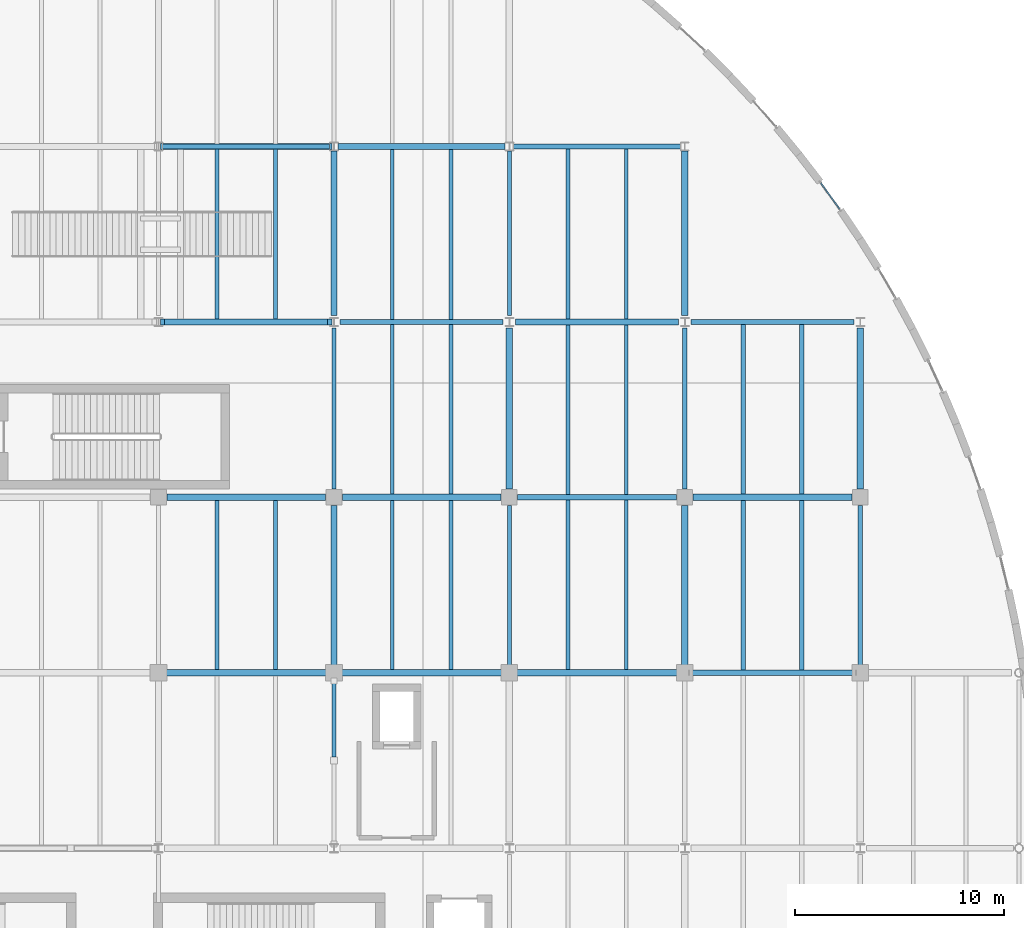
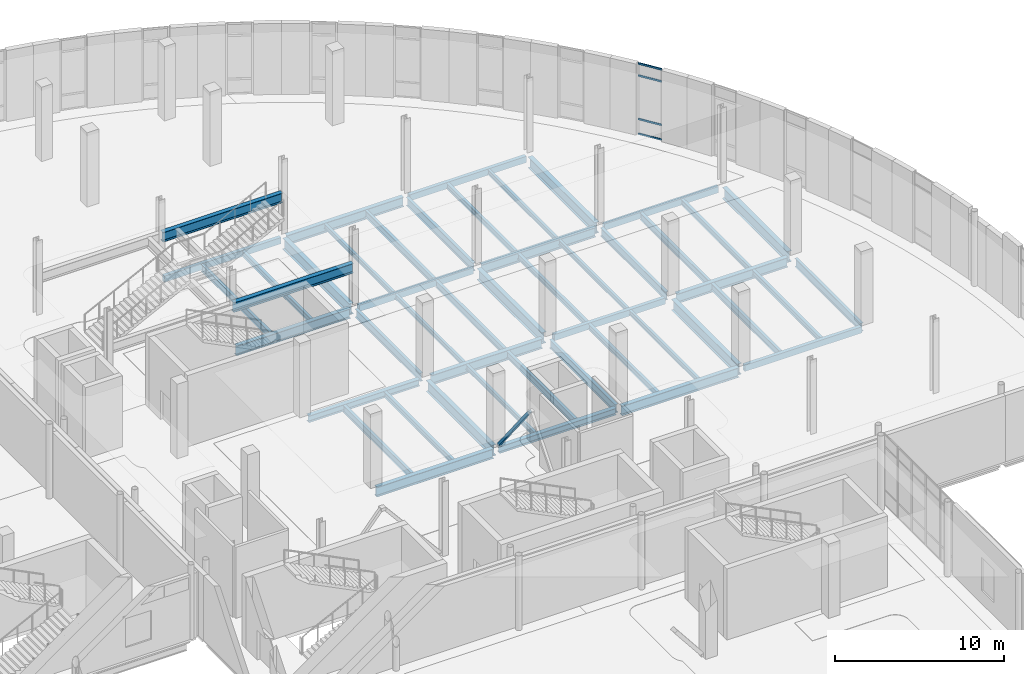
# One storey, part 47 of 110: 48 beams, 5 members, 1 element without a shape of its own.
"""IFC4 building model written with IfcOpenShell, lengths in metres."""

from ifc_helpers import new_model, si_unit, direction, frame, origin, origin_2d, place, context, subcontext, project, spatial, hollow_rectangle, i_section, extrude, material, layer, layer_set, material_profile, profile_set, type_object, element, aggregate, save


model = new_model("IFC4")

# Units and contexts
model_context = context("Model", 3, precision=1e-05, world=origin(), true_north=direction((0.0, 1.0)))
body_context = subcontext(model_context, "Body", "Model", "MODEL_VIEW")
ifc_project = project(units=[si_unit("LENGTHUNIT", "METRE"), si_unit("AREAUNIT", "SQUARE_METRE"), si_unit("VOLUMEUNIT", "CUBIC_METRE"), si_unit("PLANEANGLEUNIT", "RADIAN"), si_unit("MASSUNIT", "GRAM", prefix="KILO"), si_unit("THERMODYNAMICTEMPERATUREUNIT", "KELVIN")], contexts=[model_context])

# Site, building, storey
site_placement = place(None, origin())
site = spatial("IfcSite", under=ifc_project, at=site_placement, CompositionType="ELEMENT")
building_placement = place(site_placement, origin())
building = spatial("IfcBuilding", under=site, at=building_placement, Name="Lustrewick Department Store", CompositionType="ELEMENT")
storey_placement = place(building_placement, frame((0.0, 0.0, 6.0)))
storey = spatial("IfcBuildingStorey", under=building, at=storey_placement, Name="L02", CompositionType="ELEMENT", Elevation=6.0)

# Beams
ifc_material_1 = material(Name="Structural steel Q355B", Category="steel")
ifc_material_profile_1 = material_profile(ifc_material_1, i_section(OverallWidth=0.199951171875, OverallDepth=0.5, WebThickness=0.010009765625, FlangeThickness=0.01611328125, FilletRadius=0.01611328125, at=origin_2d()), Name="HN 500x200x10x16")
ifc_profile_set_1 = profile_set([ifc_material_profile_1], Name="Structural steel Q355B")
beam_type_1 = type_object("IfcBeamType", Name="B01", PredefinedType="JOIST", material=ifc_profile_set_1)
beam_1_placement = place(storey_placement, frame((140.0, 67.35009765625, -0.5048828125), z_axis=(0.0, 1.0, 0.0), x_axis=(-1.0, 0.0, 0.0)))
element("IfcBeam", 1, at=beam_1_placement, inside=storey, type_object=beam_type_1, Name="L02 V4 Secondary Joist B01", PredefinedType="JOIST", context=body_context, shape_type="SweptSolid", body=[
    extrude(i_section(OverallWidth=0.199951171875, OverallDepth=0.5, WebThickness=0.010009765625, FlangeThickness=0.01611328125, FilletRadius=0.01611328125, at=origin_2d()), origin(), (0.0, 0.0, 1.0), 8.099853515625),
])
for number, where, z_axis, x_axis, name in (
    (2, (154.0, 67.324951171875, -0.5048828125), (0.0, 1.0, 0.0), (-1.0, 0.0, 0.0), "L02 V4 Secondary Joist B01"),
    (3, (140.0, 75.75, -0.5048828125), (0.0, 1.0, 0.0), (-1.0, 0.0, 0.0), "L02 V4 Secondary Joist B01"),
    (4, (154.0, 75.75, -0.5048828125), (0.0, 1.0, 0.0), (-1.0, 0.0, 0.0), "L02 V4 Secondary Joist B01"),
    (5, (140.0, 84.125, -0.5048828125), (0.0, 1.0, 0.0), (-1.0, 0.0, 0.0), "L02 V4 Secondary Joist B01"),
):
    element("IfcBeam", number, at=place(storey_placement, frame(where, z_axis=z_axis, x_axis=x_axis)), inside=storey, type_object=beam_type_1, Name=name, PredefinedType="JOIST", context=body_context, shape_type="SweptSolid", body=[
        extrude(i_section(OverallWidth=0.199951171875, OverallDepth=0.5, WebThickness=0.010009765625, FlangeThickness=0.01611328125, FilletRadius=0.01611328125, at=origin_2d()), origin(), (0.0, 0.0, 1.0), 8.125),
    ])
ifc_material_profile_2 = material_profile(ifc_material_1, i_section(OverallWidth=0.198974609375, OverallDepth=0.49609375, WebThickness=0.009033203125, FlangeThickness=0.013916015625, FilletRadius=0.01611328125, at=origin_2d()), Name="HN 496x199x9x14")
ifc_profile_set_2 = profile_set([ifc_material_profile_2], Name="Structural steel Q355B")
beam_type_2 = type_object("IfcBeamType", Name="B02", PredefinedType="JOIST", material=ifc_profile_set_2)
beam_2_placement = place(storey_placement, frame((128.800048828125, 67.35009765625, -0.5029296875), z_axis=(0.0, 1.0, 0.0), x_axis=(-1.0, 0.0, 0.0)))
element("IfcBeam", 6, at=beam_2_placement, inside=storey, type_object=beam_type_2, Name="L02 V4 Secondary Joist B02", PredefinedType="JOIST", context=body_context, shape_type="SweptSolid", body=[
    extrude(i_section(OverallWidth=0.198974609375, OverallDepth=0.49609375, WebThickness=0.009033203125, FlangeThickness=0.013916015625, FilletRadius=0.01611328125, at=origin_2d()), origin(), (0.0, 0.0, 1.0), 8.099853515625),
])
beam_3_placement = place(storey_placement, frame((128.800048828125, 84.14990234375, -0.5029296875), z_axis=(0.0, 1.0, 0.0), x_axis=(-1.0, 0.0, 0.0)))
element("IfcBeam", 7, at=beam_3_placement, inside=storey, type_object=beam_type_2, Name="L02 V4 Secondary Joist B02", PredefinedType="JOIST", context=body_context, shape_type="SweptSolid", body=[
    extrude(i_section(OverallWidth=0.198974609375, OverallDepth=0.49609375, WebThickness=0.009033203125, FlangeThickness=0.013916015625, FilletRadius=0.01611328125, at=origin_2d()), origin(), (0.0, 0.0, 1.0), 8.125),
])
ifc_material_profile_3 = material_profile(ifc_material_1, i_section(OverallWidth=0.199951171875, OverallDepth=0.39990234375, WebThickness=0.008056640625, FlangeThickness=0.012939453125, FilletRadius=0.013916015625, at=origin_2d()), Name="HN 400x200x8x13")
ifc_profile_set_3 = profile_set([ifc_material_profile_3], Name="Structural steel Q355B")
beam_type_3 = type_object("IfcBeamType", Name="B05", PredefinedType="JOIST", material=ifc_profile_set_3)
for number, where, z_axis, x_axis, name in (
    (8, (156.800048828125, 67.324951171875, -0.455078125), (0.0, 1.0, 0.0), (-1.0, 0.0, 0.0), "L02 V4 Secondary Joist B05"),
    (9, (156.800048828125, 75.75, -0.455078125), (0.0, 1.0, 0.0), (-1.0, 0.0, 0.0), "L02 V4 Secondary Joist B05"),
):
    element("IfcBeam", number, at=place(storey_placement, frame(where, z_axis=z_axis, x_axis=x_axis)), inside=storey, type_object=beam_type_3, Name=name, PredefinedType="JOIST", context=body_context, shape_type="SweptSolid", body=[
        extrude(i_section(OverallWidth=0.199951171875, OverallDepth=0.39990234375, WebThickness=0.008056640625, FlangeThickness=0.012939453125, FilletRadius=0.013916015625, at=origin_2d()), origin(), (0.0, 0.0, 1.0), 8.125),
    ])
ifc_material_profile_4 = material_profile(ifc_material_1, i_section(OverallWidth=0.198974609375, OverallDepth=0.39599609375, WebThickness=0.007080078125, FlangeThickness=0.010986328125, FilletRadius=0.013916015625, at=origin_2d()), Name="HN 396x199x7x11")
ifc_profile_set_4 = profile_set([ifc_material_profile_4], Name="Structural steel Q355B")
beam_type_4 = type_object("IfcBeamType", Name="B06", PredefinedType="JOIST", material=ifc_profile_set_4)
beam_4_placement = place(storey_placement, frame((131.60009765625, 67.35009765625, -0.452880859375), z_axis=(0.0, 1.0, 0.0), x_axis=(-1.0, 0.0, 0.0)))
element("IfcBeam", 10, at=beam_4_placement, inside=storey, type_object=beam_type_4, Name="L02 V4 Secondary Joist B06", PredefinedType="JOIST", context=body_context, shape_type="SweptSolid", body=[
    extrude(i_section(OverallWidth=0.198974609375, OverallDepth=0.39599609375, WebThickness=0.007080078125, FlangeThickness=0.010986328125, FilletRadius=0.013916015625, at=origin_2d()), origin(), (0.0, 0.0, 1.0), 8.099853515625),
])
for number, where, z_axis, x_axis, name in (
    (11, (145.60009765625, 67.35009765625, -0.452880859375), (0.0, 1.0, 0.0), (-1.0, 0.0, 0.0), "L02 V4 Secondary Joist B06"),
    (12, (145.60009765625, 75.72509765625, -0.452880859375), (0.0, 1.0, 0.0), (-1.0, 0.0, 0.0), "L02 V4 Secondary Joist B06"),
    (13, (131.60009765625, 84.14990234375, -0.452880859375), (0.0, 1.0, 0.0), (-1.0, 0.0, 0.0), "L02 V4 Secondary Joist B06"),
    (14, (145.60009765625, 84.14990234375, -0.452880859375), (0.0, 1.0, 0.0), (-1.0, 0.0, 0.0), "L02 V4 Secondary Joist B06"),
):
    element("IfcBeam", number, at=place(storey_placement, frame(where, z_axis=z_axis, x_axis=x_axis)), inside=storey, type_object=beam_type_4, Name=name, PredefinedType="JOIST", context=body_context, shape_type="SweptSolid", body=[
        extrude(i_section(OverallWidth=0.198974609375, OverallDepth=0.39599609375, WebThickness=0.007080078125, FlangeThickness=0.010986328125, FilletRadius=0.013916015625, at=origin_2d()), origin(), (0.0, 0.0, 1.0), 8.125),
    ])
ifc_material_profile_5 = material_profile(ifc_material_1, i_section(OverallWidth=0.175048828125, OverallDepth=0.35009765625, WebThickness=0.007080078125, FlangeThickness=0.010986328125, FilletRadius=0.012939453125, at=origin_2d()), Name="HN 350x175x7x11")
ifc_profile_set_5 = profile_set([ifc_material_profile_5], Name="Structural steel Q355B")
beam_type_5 = type_object("IfcBeamType", Name="B09", PredefinedType="JOIST", material=ifc_profile_set_5)
for number, where, z_axis, x_axis, name in (
    (15, (148.39990234375, 67.35009765625, -0.429931640625), (0.0, 1.0, 0.0), (-1.0, 0.0, 0.0), "L02 V4 Secondary Joist B09"),
    (16, (148.39990234375, 75.72509765625, -0.429931640625), (0.0, 1.0, 0.0), (-1.0, 0.0, 0.0), "L02 V4 Secondary Joist B09"),
    (17, (148.39990234375, 84.14990234375, -0.429931640625), (0.0, 1.0, 0.0), (-1.0, 0.0, 0.0), "L02 V4 Secondary Joist B09"),
):
    element("IfcBeam", number, at=place(storey_placement, frame(where, z_axis=z_axis, x_axis=x_axis)), inside=storey, type_object=beam_type_5, Name=name, PredefinedType="JOIST", context=body_context, shape_type="SweptSolid", body=[
        extrude(i_section(OverallWidth=0.175048828125, OverallDepth=0.35009765625, WebThickness=0.007080078125, FlangeThickness=0.010986328125, FilletRadius=0.012939453125, at=origin_2d()), origin(), (0.0, 0.0, 1.0), 8.125),
    ])
ifc_material_profile_6 = material_profile(ifc_material_1, i_section(OverallWidth=0.174072265625, OverallDepth=0.345947265625, WebThickness=0.006103515625, FlangeThickness=0.009033203125, FilletRadius=0.012939453125, at=origin_2d()), Name="HN 346x174x6x9")
ifc_profile_set_6 = profile_set([ifc_material_profile_6], Name="Structural steel Q355B")
beam_type_6 = type_object("IfcBeamType", Name="B10", PredefinedType="JOIST", material=ifc_profile_set_6)
beam_5_placement = place(storey_placement, frame((137.199951171875, 67.35009765625, -0.427978515625), z_axis=(0.0, 1.0, 0.0), x_axis=(-1.0, 0.0, 0.0)))
element("IfcBeam", 18, at=beam_5_placement, inside=storey, type_object=beam_type_6, Name="L02 V4 Secondary Joist B10", PredefinedType="JOIST", context=body_context, shape_type="SweptSolid", body=[
    extrude(i_section(OverallWidth=0.174072265625, OverallDepth=0.345947265625, WebThickness=0.006103515625, FlangeThickness=0.009033203125, FilletRadius=0.012939453125, at=origin_2d()), origin(), (0.0, 0.0, 1.0), 8.099853515625),
])
for number, where, z_axis, x_axis, name in (
    (19, (137.199951171875, 75.75, -0.427978515625), (0.0, 1.0, 0.0), (-1.0, 0.0, 0.0), "L02 V4 Secondary Joist B10"),
    (20, (137.199951171875, 84.125, -0.427978515625), (0.0, 1.0, 0.0), (-1.0, 0.0, 0.0), "L02 V4 Secondary Joist B10"),
):
    element("IfcBeam", number, at=place(storey_placement, frame(where, z_axis=z_axis, x_axis=x_axis)), inside=storey, type_object=beam_type_6, Name=name, PredefinedType="JOIST", context=body_context, shape_type="SweptSolid", body=[
        extrude(i_section(OverallWidth=0.174072265625, OverallDepth=0.345947265625, WebThickness=0.006103515625, FlangeThickness=0.009033203125, FilletRadius=0.012939453125, at=origin_2d()), origin(), (0.0, 0.0, 1.0), 8.125),
    ])

# Member
ifc_material_profile_7 = material_profile(ifc_material_1, hollow_rectangle(XDim=0.179931640625, YDim=0.179931640625, WallThickness=0.008056640625, at=origin_2d()), Name="SHS 180x180x8")
ifc_profile_set_7 = profile_set([ifc_material_profile_7], Name="Structural steel Q355B")
member_type_1 = type_object("IfcMemberType", Name="BR10", PredefinedType="BRACE", material=ifc_profile_set_7)
member_1_placement = place(storey_placement, frame((134.39990234375, 66.800048828125, 0.14990234375), z_axis=(0.0, -0.623044181837, 0.782186644912), x_axis=(1.0, 0.0, 0.0)))
element("IfcMember", 21, at=member_1_placement, inside=storey, type_object=member_type_1, Name="L02 V4 Chevron Brace BR10", PredefinedType="BRACE", context=body_context, shape_type="SweptSolid", body=[
    extrude(hollow_rectangle(XDim=0.179931640625, YDim=0.179931640625, WallThickness=0.008056640625, at=origin_2d()), origin(), (0.0, 0.0, 1.0), 5.9384765625),
])

# Curtain wall, members
ifc_material_2 = material(Name="Thermally broken aluminium 6063-T5", Category="aluminium")
ifc_layer = layer(ifc_material_2, 0.169921875, Name="Thermally broken aluminium 6063-T5")
ifc_layer_set = layer_set([ifc_layer], Name="Thermally broken aluminium 6063-T5")
curtain_wall_type = type_object("IfcCurtainWallType", Name="CW12", PredefinedType="NOTDEFINED", material=ifc_layer_set)
curtain_wall_placement = place(storey_placement, origin())
curtain_wall = element("IfcCurtainWall", 22, at=curtain_wall_placement, inside=storey, type_object=curtain_wall_type, Name="L02 V4 Curtain Wall CW12", PredefinedType="NOTDEFINED")
ifc_material_profile_8 = material_profile(ifc_material_2, hollow_rectangle(XDim=0.06494140625, YDim=0.1298828125, WallThickness=0.00341796875, at=origin_2d()), Name="ALU-T 65x130x3.5")
ifc_profile_set_8 = profile_set([ifc_material_profile_8], Name="Thermally broken aluminium 6063-T5")
member_type_2 = type_object("IfcMemberType", Name="CW12-T1", PredefinedType="USERDEFINED", material=ifc_profile_set_8)
member_2_placement = place(storey_placement, frame((158.61083984375, 89.40283203125, 0.032470703125), z_axis=(-0.58525851613, 0.810846760675, 0.0), x_axis=(-0.810846760675, -0.58525851613, 0.0)))
member_2 = element("IfcMember", 23, at=member_2_placement, type_object=member_type_2, Name="CW12 transom 1.1", ObjectType="TRANSOM", PredefinedType="USERDEFINED", context=body_context, shape_type="SweptSolid", body=[
    extrude(hollow_rectangle(XDim=0.06494140625, YDim=0.1298828125, WallThickness=0.00341796875, at=origin_2d()), origin(), (0.0, 0.0, 1.0), 1.536865234375),
])
member_3_placement = place(storey_placement, frame((158.61083984375, 89.40283203125, 1.10009765625), z_axis=(-0.58525851613, 0.810846760675, 0.0), x_axis=(-0.810846760675, -0.58525851613, 0.0)))
member_3 = element("IfcMember", 24, at=member_3_placement, type_object=member_type_2, Name="CW12 transom 1.2", ObjectType="TRANSOM", PredefinedType="USERDEFINED", context=body_context, shape_type="SweptSolid", body=[
    extrude(hollow_rectangle(XDim=0.06494140625, YDim=0.1298828125, WallThickness=0.00341796875, at=origin_2d()), origin(), (0.0, 0.0, 1.0), 1.536865234375),
])
member_4_placement = place(storey_placement, frame((158.61083984375, 89.40283203125, 4.2451171875), z_axis=(-0.58525851613, 0.810846760675, 0.0), x_axis=(-0.810846760675, -0.58525851613, 0.0)))
member_4 = element("IfcMember", 25, at=member_4_placement, type_object=member_type_2, Name="CW12 transom 1.3", ObjectType="TRANSOM", PredefinedType="USERDEFINED", context=body_context, shape_type="SweptSolid", body=[
    extrude(hollow_rectangle(XDim=0.06494140625, YDim=0.1298828125, WallThickness=0.00341796875, at=origin_2d()), origin(), (0.0, 0.0, 1.0), 1.536865234375),
])
member_5_placement = place(storey_placement, frame((158.61083984375, 89.40283203125, 5.112548828125), z_axis=(-0.58525851613, 0.810846760675, 0.0), x_axis=(-0.810846760675, -0.58525851613, 0.0)))
member_5 = element("IfcMember", 26, at=member_5_placement, type_object=member_type_2, Name="CW12 transom 1.4", ObjectType="TRANSOM", PredefinedType="USERDEFINED", context=body_context, shape_type="SweptSolid", body=[
    extrude(hollow_rectangle(XDim=0.06494140625, YDim=0.1298828125, WallThickness=0.00341796875, at=origin_2d()), origin(), (0.0, 0.0, 1.0), 1.536865234375),
])
aggregate(curtain_wall, [member_2, member_3, member_4, member_5])

# Beams
ifc_material_3 = material(Name="Structural steel Q355C", Category="steel")
ifc_material_profile_9 = material_profile(ifc_material_3, i_section(OverallWidth=0.302001953125, OverallDepth=0.80810546875, WebThickness=0.01611328125, FlangeThickness=0.030029296875, FilletRadius=0.02197265625, at=origin_2d()), Name="HN 808x302x16x30")
ifc_profile_set_9 = profile_set([ifc_material_profile_9], Name="Structural steel Q355C")
beam_type_7 = type_object("IfcBeamType", Name="G04", PredefinedType="BEAM", material=ifc_profile_set_9)
beam_6_placement = place(storey_placement, frame((134.39990234375, 84.300048828125, -0.658935546875), z_axis=(0.0, 1.0, 0.0), x_axis=(-1.0, 0.0, 0.0)))
element("IfcBeam", 27, at=beam_6_placement, inside=storey, type_object=beam_type_7, Name="L02 V4 Girder G04", PredefinedType="BEAM", context=body_context, shape_type="SweptSolid", body=[
    extrude(i_section(OverallWidth=0.302001953125, OverallDepth=0.80810546875, WebThickness=0.01611328125, FlangeThickness=0.030029296875, FilletRadius=0.02197265625, at=origin_2d()), origin(), (0.0, 0.0, 1.0), 7.89306640625),
])
beam_7_placement = place(storey_placement, frame((142.800048828125, 76.0, -0.658935546875), z_axis=(0.0, 1.0, 0.0), x_axis=(-1.0, 0.0, 0.0)))
element("IfcBeam", 28, at=beam_7_placement, inside=storey, type_object=beam_type_7, Name="L02 V4 Girder G04", PredefinedType="BEAM", context=body_context, shape_type="SweptSolid", body=[
    extrude(i_section(OverallWidth=0.302001953125, OverallDepth=0.80810546875, WebThickness=0.01611328125, FlangeThickness=0.030029296875, FilletRadius=0.02197265625, at=origin_2d()), origin(), (0.0, 0.0, 1.0), 7.699951171875),
])
beam_8_placement = place(storey_placement, frame((151.199951171875, 67.39990234375, -0.658935546875), z_axis=(0.0, 1.0, 0.0), x_axis=(-1.0, 0.0, 0.0)))
element("IfcBeam", 29, at=beam_8_placement, inside=storey, type_object=beam_type_7, Name="L02 V4 Girder G04", PredefinedType="BEAM", context=body_context, shape_type="SweptSolid", body=[
    extrude(i_section(OverallWidth=0.302001953125, OverallDepth=0.80810546875, WebThickness=0.01611328125, FlangeThickness=0.030029296875, FilletRadius=0.02197265625, at=origin_2d()), origin(), (0.0, 0.0, 1.0), 7.800048828125),
])
beam_9_placement = place(storey_placement, frame((151.199951171875, 84.300048828125, -0.658935546875), z_axis=(0.0, 1.0, 0.0), x_axis=(-1.0, 0.0, 0.0)))
element("IfcBeam", 30, at=beam_9_placement, inside=storey, type_object=beam_type_7, Name="L02 V4 Girder G04", PredefinedType="BEAM", context=body_context, shape_type="SweptSolid", body=[
    extrude(i_section(OverallWidth=0.302001953125, OverallDepth=0.80810546875, WebThickness=0.01611328125, FlangeThickness=0.030029296875, FilletRadius=0.02197265625, at=origin_2d()), origin(), (0.0, 0.0, 1.0), 7.89306640625),
])
beam_10_placement = place(storey_placement, frame((159.60009765625, 76.0, -0.658935546875), z_axis=(0.0, 1.0, 0.0), x_axis=(-1.0, 0.0, 0.0)))
element("IfcBeam", 31, at=beam_10_placement, inside=storey, type_object=beam_type_7, Name="L02 V4 Girder G04", PredefinedType="BEAM", context=body_context, shape_type="SweptSolid", body=[
    extrude(i_section(OverallWidth=0.302001953125, OverallDepth=0.80810546875, WebThickness=0.01611328125, FlangeThickness=0.030029296875, FilletRadius=0.02197265625, at=origin_2d()), origin(), (0.0, 0.0, 1.0), 7.699951171875),
])
ifc_material_profile_10 = material_profile(ifc_material_1, i_section(OverallWidth=0.300048828125, OverallDepth=0.800048828125, WebThickness=0.013916015625, FlangeThickness=0.02587890625, FilletRadius=0.02197265625, at=origin_2d()), Name="HN 800x300x14x26")
ifc_profile_set_10 = profile_set([ifc_material_profile_10], Name="Structural steel Q355B")
beam_type_8 = type_object("IfcBeamType", Name="G05", PredefinedType="BEAM", material=ifc_profile_set_10)
beam_11_placement = place(storey_placement, frame((134.39990234375, 67.39990234375, -0.655029296875), z_axis=(0.0, 1.0, 0.0), x_axis=(-1.0, 0.0, 0.0)))
element("IfcBeam", 32, at=beam_11_placement, inside=storey, type_object=beam_type_8, Name="L02 V4 Girder G05", PredefinedType="BEAM", context=body_context, shape_type="SweptSolid", body=[
    extrude(i_section(OverallWidth=0.300048828125, OverallDepth=0.800048828125, WebThickness=0.013916015625, FlangeThickness=0.02587890625, FilletRadius=0.02197265625, at=origin_2d()), origin(), (0.0, 0.0, 1.0), 7.800048828125),
])
ifc_material_profile_11 = material_profile(ifc_material_1, i_section(OverallWidth=0.300048828125, OverallDepth=0.699951171875, WebThickness=0.012939453125, FlangeThickness=0.02392578125, FilletRadius=0.02001953125, at=origin_2d()), Name="HN 700x300x13x24")
ifc_profile_set_11 = profile_set([ifc_material_profile_11], Name="Structural steel Q355B")
beam_type_9 = type_object("IfcBeamType", Name="G08", PredefinedType="BEAM", material=ifc_profile_set_11)
for number, where, z_axis, x_axis, name in (
    (33, (126.199951171875, 67.199951171875, -0.60498046875), (1.0, 0.0, 0.0), (0.0, 1.0, 0.0), "L02 V4 Girder G08"),
    (34, (143.0, 67.199951171875, -0.60498046875), (1.0, 0.0, 0.0), (0.0, 1.0, 0.0), "L02 V4 Girder G08"),
):
    element("IfcBeam", number, at=place(storey_placement, frame(where, z_axis=z_axis, x_axis=x_axis)), inside=storey, type_object=beam_type_9, Name=name, PredefinedType="BEAM", context=body_context, shape_type="SweptSolid", body=[
        extrude(i_section(OverallWidth=0.300048828125, OverallDepth=0.699951171875, WebThickness=0.012939453125, FlangeThickness=0.02392578125, FilletRadius=0.02001953125, at=origin_2d()), origin(), (0.0, 0.0, 1.0), 8.0),
    ])
for number, where, z_axis, x_axis, name in (
    (35, (134.800048828125, 75.60009765625, -0.60498046875), (1.0, 0.0, 0.0), (0.0, 1.0, 0.0), "L02 V4 Girder G08"),
    (36, (151.60009765625, 75.60009765625, -0.60498046875), (1.0, 0.0, 0.0), (0.0, 1.0, 0.0), "L02 V4 Girder G08"),
):
    element("IfcBeam", number, at=place(storey_placement, frame(where, z_axis=z_axis, x_axis=x_axis)), inside=storey, type_object=beam_type_9, Name=name, PredefinedType="BEAM", context=body_context, shape_type="SweptSolid", body=[
        extrude(i_section(OverallWidth=0.300048828125, OverallDepth=0.699951171875, WebThickness=0.012939453125, FlangeThickness=0.02392578125, FilletRadius=0.02001953125, at=origin_2d()), origin(), (0.0, 0.0, 1.0), 7.599853515625),
    ])
beam_12_placement = place(storey_placement, frame((126.300048828125, 84.0, -0.60498046875), z_axis=(1.0, 0.0, 0.0), x_axis=(0.0, 1.0, 0.0)))
element("IfcBeam", 37, at=beam_12_placement, inside=storey, type_object=beam_type_9, Name="L02 V4 Girder G08", PredefinedType="BEAM", context=body_context, shape_type="SweptSolid", body=[
    extrude(i_section(OverallWidth=0.300048828125, OverallDepth=0.699951171875, WebThickness=0.012939453125, FlangeThickness=0.02392578125, FilletRadius=0.02001953125, at=origin_2d()), origin(), (0.0, 0.0, 1.0), 7.800048828125),
])
beam_13_placement = place(storey_placement, frame((143.10009765625, 84.0, -0.60498046875), z_axis=(1.0, 0.0, 0.0), x_axis=(0.0, 1.0, 0.0)))
element("IfcBeam", 38, at=beam_13_placement, inside=storey, type_object=beam_type_9, Name="L02 V4 Girder G08", PredefinedType="BEAM", context=body_context, shape_type="SweptSolid", body=[
    extrude(i_section(OverallWidth=0.300048828125, OverallDepth=0.699951171875, WebThickness=0.012939453125, FlangeThickness=0.02392578125, FilletRadius=0.02001953125, at=origin_2d()), origin(), (0.0, 0.0, 1.0), 7.7998046875),
])
beam_14_placement = place(storey_placement, frame((134.6025390625, 92.39990234375, -0.60498046875), z_axis=(1.0, 0.0, 0.0), x_axis=(0.0, 1.0, 0.0)))
element("IfcBeam", 39, at=beam_14_placement, inside=storey, type_object=beam_type_9, Name="L02 V4 Girder G08", PredefinedType="BEAM", context=body_context, shape_type="SweptSolid", body=[
    extrude(i_section(OverallWidth=0.300048828125, OverallDepth=0.699951171875, WebThickness=0.012939453125, FlangeThickness=0.02392578125, FilletRadius=0.02001953125, at=origin_2d()), origin(), (0.0, 0.0, 1.0), 7.994873046875),
])
for number, where, z_axis, x_axis, name in (
    (40, (126.10009765625, 84.0, 2.60009765625), (1.0, 0.0, 0.0), (0.0, 1.0, 0.0), "L02 Feature Stair AST02 Stringer Girder EW2.1"),
    (41, (126.10009765625, 92.39990234375, 2.60009765625), (1.0, 0.0, 0.0), (0.0, 1.0, 0.0), "L02 Feature Stair AST02 Stringer Girder EW2.2"),
):
    element("IfcBeam", number, at=place(storey_placement, frame(where, z_axis=z_axis, x_axis=x_axis)), inside=storey, type_object=beam_type_9, Name=name, PredefinedType="BEAM", context=body_context, shape_type="SweptSolid", body=[
        extrude(i_section(OverallWidth=0.300048828125, OverallDepth=0.699951171875, WebThickness=0.012939453125, FlangeThickness=0.02392578125, FilletRadius=0.02001953125, at=origin_2d()), origin(), (0.0, 0.0, 1.0), 8.199951171875),
    ])
ifc_material_profile_12 = material_profile(ifc_material_1, i_section(OverallWidth=0.200927734375, OverallDepth=0.60595703125, WebThickness=0.011962890625, FlangeThickness=0.02001953125, FilletRadius=0.01806640625, at=origin_2d()), Name="HN 606x201x12x20")
ifc_profile_set_12 = profile_set([ifc_material_profile_12], Name="Structural steel Q355B")
beam_type_10 = type_object("IfcBeamType", Name="G13", PredefinedType="BEAM", material=ifc_profile_set_12)
beam_15_placement = place(storey_placement, frame((134.39990234375, 76.0, -0.55810546875), z_axis=(0.0, 1.0, 0.0), x_axis=(-1.0, 0.0, 0.0)))
element("IfcBeam", 42, at=beam_15_placement, inside=storey, type_object=beam_type_10, Name="L02 V4 Girder G13", PredefinedType="BEAM", context=body_context, shape_type="SweptSolid", body=[
    extrude(i_section(OverallWidth=0.200927734375, OverallDepth=0.60595703125, WebThickness=0.011962890625, FlangeThickness=0.02001953125, FilletRadius=0.01806640625, at=origin_2d()), origin(), (0.0, 0.0, 1.0), 7.699951171875),
])
beam_16_placement = place(storey_placement, frame((142.800048828125, 67.39990234375, -0.55810546875), z_axis=(0.0, 1.0, 0.0), x_axis=(-1.0, 0.0, 0.0)))
element("IfcBeam", 43, at=beam_16_placement, inside=storey, type_object=beam_type_10, Name="L02 V4 Girder G13", PredefinedType="BEAM", context=body_context, shape_type="SweptSolid", body=[
    extrude(i_section(OverallWidth=0.200927734375, OverallDepth=0.60595703125, WebThickness=0.011962890625, FlangeThickness=0.02001953125, FilletRadius=0.01806640625, at=origin_2d()), origin(), (0.0, 0.0, 1.0), 7.800048828125),
])
beam_17_placement = place(storey_placement, frame((142.800048828125, 84.300048828125, -0.55810546875), z_axis=(0.0, 1.0, 0.0), x_axis=(-1.0, 0.0, 0.0)))
element("IfcBeam", 44, at=beam_17_placement, inside=storey, type_object=beam_type_10, Name="L02 V4 Girder G13", PredefinedType="BEAM", context=body_context, shape_type="SweptSolid", body=[
    extrude(i_section(OverallWidth=0.200927734375, OverallDepth=0.60595703125, WebThickness=0.011962890625, FlangeThickness=0.02001953125, FilletRadius=0.01806640625, at=origin_2d()), origin(), (0.0, 0.0, 1.0), 7.89306640625),
])
beam_18_placement = place(storey_placement, frame((151.199951171875, 76.0, -0.55810546875), z_axis=(0.0, 1.0, 0.0), x_axis=(-1.0, 0.0, 0.0)))
element("IfcBeam", 45, at=beam_18_placement, inside=storey, type_object=beam_type_10, Name="L02 V4 Girder G13", PredefinedType="BEAM", context=body_context, shape_type="SweptSolid", body=[
    extrude(i_section(OverallWidth=0.200927734375, OverallDepth=0.60595703125, WebThickness=0.011962890625, FlangeThickness=0.02001953125, FilletRadius=0.01806640625, at=origin_2d()), origin(), (0.0, 0.0, 1.0), 7.699951171875),
])
beam_19_placement = place(storey_placement, frame((159.60009765625, 67.39990234375, -0.55810546875), z_axis=(0.0, 1.0, 0.0), x_axis=(-1.0, 0.0, 0.0)))
element("IfcBeam", 46, at=beam_19_placement, inside=storey, type_object=beam_type_10, Name="L02 V4 Girder G13", PredefinedType="BEAM", context=body_context, shape_type="SweptSolid", body=[
    extrude(i_section(OverallWidth=0.200927734375, OverallDepth=0.60595703125, WebThickness=0.011962890625, FlangeThickness=0.02001953125, FilletRadius=0.01806640625, at=origin_2d()), origin(), (0.0, 0.0, 1.0), 7.800048828125),
])
ifc_material_profile_13 = material_profile(ifc_material_3, hollow_rectangle(XDim=0.25, YDim=0.449951171875, WallThickness=0.013916015625, at=origin_2d()), Name="RHS 450x250x14")
ifc_profile_set_13 = profile_set([ifc_material_profile_13], Name="Structural steel Q355C")
beam_type_11 = type_object("IfcBeamType", Name="G18", PredefinedType="BEAM", material=ifc_profile_set_13)
beam_20_placement = place(storey_placement, frame((151.39990234375, 67.199951171875, -0.47998046875), z_axis=(1.0, 0.0, 0.0), x_axis=(0.0, 1.0, 0.0)))
element("IfcBeam", 47, at=beam_20_placement, inside=storey, type_object=beam_type_11, Name="L02 V4 Girder G18", PredefinedType="BEAM", context=body_context, shape_type="SweptSolid", body=[
    extrude(hollow_rectangle(XDim=0.25, YDim=0.449951171875, WallThickness=0.013916015625, at=origin_2d()), origin(), (0.0, 0.0, 1.0), 8.0),
])
beam_21_placement = place(storey_placement, frame((143.199951171875, 75.60009765625, -0.47998046875), z_axis=(1.0, 0.0, 0.0), x_axis=(0.0, 1.0, 0.0)))
element("IfcBeam", 48, at=beam_21_placement, inside=storey, type_object=beam_type_11, Name="L02 V4 Girder G18", PredefinedType="BEAM", context=body_context, shape_type="SweptSolid", body=[
    extrude(hollow_rectangle(XDim=0.25, YDim=0.449951171875, WallThickness=0.013916015625, at=origin_2d()), origin(), (0.0, 0.0, 1.0), 7.60009765625),
])
for number, where, z_axis, x_axis, name in (
    (49, (134.699951171875, 84.0, -0.47998046875), (1.0, 0.0, 0.0), (0.0, 1.0, 0.0), "L02 V4 Girder G18"),
    (50, (151.5, 84.0, -0.47998046875), (1.0, 0.0, 0.0), (0.0, 1.0, 0.0), "L02 V4 Girder G18"),
):
    element("IfcBeam", number, at=place(storey_placement, frame(where, z_axis=z_axis, x_axis=x_axis)), inside=storey, type_object=beam_type_11, Name=name, PredefinedType="BEAM", context=body_context, shape_type="SweptSolid", body=[
        extrude(hollow_rectangle(XDim=0.25, YDim=0.449951171875, WallThickness=0.013916015625, at=origin_2d()), origin(), (0.0, 0.0, 1.0), 7.800048828125),
    ])
for number, where, z_axis, x_axis, name in (
    (51, (126.202392578125, 92.39990234375, -0.47998046875), (1.0, 0.0, 0.0), (0.0, 1.0, 0.0), "L02 V4 Girder G18"),
    (52, (143.00244140625, 92.39990234375, -0.47998046875), (1.0, 0.0, 0.0), (0.0, 1.0, 0.0), "L02 V4 Girder G18"),
):
    element("IfcBeam", number, at=place(storey_placement, frame(where, z_axis=z_axis, x_axis=x_axis)), inside=storey, type_object=beam_type_11, Name=name, PredefinedType="BEAM", context=body_context, shape_type="SweptSolid", body=[
        extrude(hollow_rectangle(XDim=0.25, YDim=0.449951171875, WallThickness=0.013916015625, at=origin_2d()), origin(), (0.0, 0.0, 1.0), 7.9951171875),
    ])
ifc_material_profile_14 = material_profile(ifc_material_1, i_section(OverallWidth=0.300048828125, OverallDepth=0.48193359375, WebThickness=0.010986328125, FlangeThickness=0.014892578125, FilletRadius=0.02197265625, at=origin_2d()), Name="HM 482x300x11x15")
ifc_profile_set_14 = profile_set([ifc_material_profile_14], Name="Structural steel Q355B")
beam_type_12 = type_object("IfcBeamType", Name="G20", PredefinedType="BEAM", material=ifc_profile_set_14)
beam_22_placement = place(storey_placement, frame((134.60009765625, 67.199951171875, -0.49609375), z_axis=(1.0, 0.0, 0.0), x_axis=(0.0, 1.0, 0.0)))
element("IfcBeam", 53, at=beam_22_placement, inside=storey, type_object=beam_type_12, Name="L02 V4 Girder G20", PredefinedType="BEAM", context=body_context, shape_type="SweptSolid", body=[
    extrude(i_section(OverallWidth=0.300048828125, OverallDepth=0.48193359375, WebThickness=0.010986328125, FlangeThickness=0.014892578125, FilletRadius=0.02197265625, at=origin_2d()), origin(), (0.0, 0.0, 1.0), 8.0),
])
beam_23_placement = place(storey_placement, frame((126.39990234375, 75.60009765625, -0.49609375), z_axis=(1.0, 0.0, 0.0), x_axis=(0.0, 1.0, 0.0)))
element("IfcBeam", 54, at=beam_23_placement, inside=storey, type_object=beam_type_12, Name="L02 V4 Girder G20", PredefinedType="BEAM", context=body_context, shape_type="SweptSolid", body=[
    extrude(i_section(OverallWidth=0.300048828125, OverallDepth=0.48193359375, WebThickness=0.010986328125, FlangeThickness=0.014892578125, FilletRadius=0.02197265625, at=origin_2d()), origin(), (0.0, 0.0, 1.0), 7.60009765625),
])

save(model, "model.ifc")
